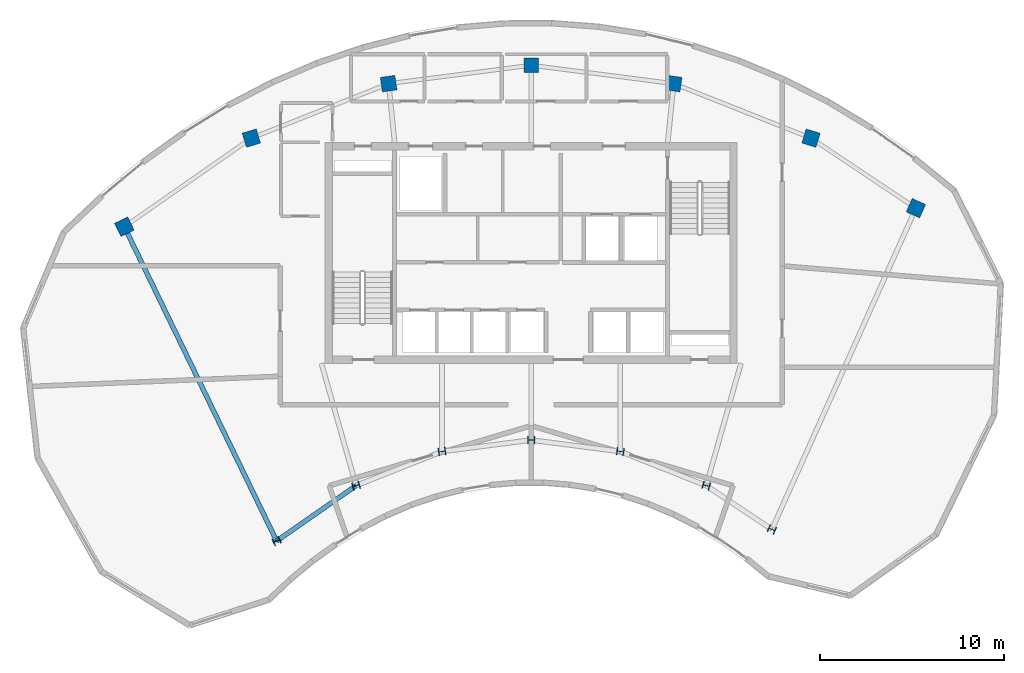
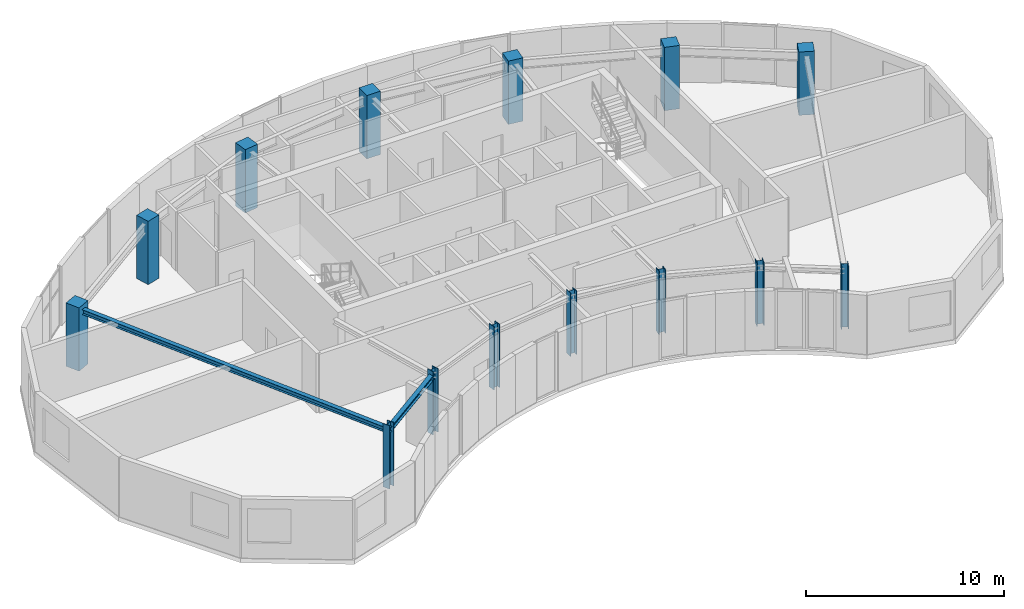
# One storey, part 1 of 9: 14 columns, 2 beams.
"""IFC4 building model written with IfcOpenShell, lengths in metres."""

from ifc_helpers import new_model, si_unit, direction, frame, origin, origin_2d, place, context, subcontext, project, spatial, rectangle, i_section, extrude, source, transform, mapped, material, material_profile, profile_set, type_object, type_shapes, element, save


model = new_model("IFC4")

# Units and contexts
model_context = context("Model", 3, precision=1e-05, world=origin(), true_north=direction((0.0, 1.0)))
body_context = subcontext(model_context, "Body", "Model", "MODEL_VIEW")
ifc_project = project(units=[si_unit("LENGTHUNIT", "METRE"), si_unit("AREAUNIT", "SQUARE_METRE"), si_unit("VOLUMEUNIT", "CUBIC_METRE"), si_unit("PLANEANGLEUNIT", "RADIAN"), si_unit("MASSUNIT", "GRAM", prefix="KILO")], contexts=[model_context])

# Site, building, storey
site_placement = place(None, origin())
site = spatial("IfcSite", under=ifc_project, at=site_placement, CompositionType="ELEMENT")
building_placement = place(site_placement, origin())
building = spatial("IfcBuilding", under=site, at=building_placement, Name="Breltana Convention Tower", CompositionType="ELEMENT")
storey_placement = place(building_placement, frame((0.0, 0.0, 299.10009765625)))
storey = spatial("IfcBuildingStorey", under=building, at=storey_placement, Name="L73", CompositionType="ELEMENT", Elevation=299.10009765625)

# Columns
ifc_material_1 = material(Name="Steel ASTM A992 Grade 50", Category="steel")
ifc_material_profile_1 = material_profile(ifc_material_1, i_section(OverallWidth=0.39892578125, OverallDepth=0.386962890625, WebThickness=0.02099609375, FlangeThickness=0.033203125, at=origin_2d()), Name="W14X176")
ifc_profile_set_1 = profile_set([ifc_material_profile_1], Name="Steel ASTM A992 Grade 50")
column_type_1 = type_object("IfcColumnType", Name="COL-STL-W14X176", PredefinedType="COLUMN", material=ifc_profile_set_1)
shared_shape_1 = source(origin(), body_context, "Body", "SweptSolid", [
    extrude(i_section(OverallWidth=0.39892578125, OverallDepth=0.386962890625, WebThickness=0.02099609375, FlangeThickness=0.033203125, at=origin_2d()), origin(), (0.0, 0.0, 1.0), 3.89990234375),
])
type_shapes(column_type_1, [shared_shape_1])
for number, where, z_axis, x_axis, name in (
    (1, (34.166259765625, 50.544921875, 0.0), (0.0, 0.0, 1.0), (-0.436173672171, 0.899862504889, 0.0), "L73 Tower Column R03-IN"),
    (2, (38.485107421875, 53.5576171875, 0.0), (0.0, 0.0, 1.0), (-0.288697611798, 0.957420330337, 0.0), "L73 Tower Column R04-IN"),
    (3, (43.153564453125, 55.41064453125, 0.0), (0.0, 0.0, 1.0), (-0.143492621991, 0.98965138682, 0.0), "L73 Tower Column R05-IN"),
    (4, (48.0, 56.035888671875, 0.0), (0.0, 0.0, 1.0), (0.0, 1.0, 0.0), "L73 Tower Column R06-IN"),
    (5, (52.846435546875, 55.41064453125, 0.0), (0.0, 0.0, 1.0), (0.143492621991, 0.98965138682, 0.0), "L73 Tower Column R07-IN"),
    (6, (57.514892578125, 53.5576171875, 0.0), (0.0, 0.0, 1.0), (0.288697611798, 0.957420330337, 0.0), "L73 Tower Column R08-IN"),
    (7, (61.08203125, 51.174560546875, 0.0), (0.0, 0.0, 1.0), (0.409126902895, 0.912477494148, 0.0), "L73 Tower Column R09-IN"),
):
    element("IfcColumn", number, at=place(storey_placement, frame(where, z_axis=z_axis, x_axis=x_axis)), inside=storey, type_object=column_type_1, Name=name, PredefinedType="COLUMN", context=body_context, shape_type="MappedRepresentation", body=[
        mapped(shared_shape_1, transform((0.0, 0.0, 0.0), scale=1.0)),
    ])
ifc_material_2 = material(Name="Concrete C50/60", Category="concrete")
ifc_material_profile_2 = material_profile(ifc_material_2, rectangle(XDim=0.800048828125, YDim=0.800048828125, at=origin_2d()), Name="RC-COL-800X800")
ifc_profile_set_2 = profile_set([ifc_material_profile_2], Name="Concrete C50/60")
column_type_2 = type_object("IfcColumnType", Name="COL-RC-800", PredefinedType="COLUMN", material=ifc_profile_set_2)
shared_shape_2 = source(origin(), body_context, "Body", "SweptSolid", [
    extrude(rectangle(XDim=0.800048828125, YDim=0.800048828125, at=origin_2d()), origin(), (0.0, 0.0, 1.0), 3.89990234375),
])
for number, where, z_axis, x_axis, name in (
    (8, (25.8876953125, 67.626953125, 0.0), (0.0, 0.0, 1.0), (-0.436173672171, 0.899862504889, 0.0), "L73 Tower Column R03-OUT"),
    (9, (32.791015625, 72.4423828125, 0.0), (0.0, 0.0, 1.0), (-0.288697611798, 0.957420330337, 0.0), "L73 Tower Column R04-OUT"),
    (10, (40.253173828125, 75.404296875, 0.0), (0.0, 0.0, 1.0), (-0.143492621991, 0.98965138682, 0.0), "L73 Tower Column R05-OUT"),
    (11, (48.0, 76.404052734375, 0.0), (0.0, 0.0, 1.0), (0.0, 1.0, 0.0), "L73 Tower Column R06-OUT"),
    (12, (55.746826171875, 75.404296875, 0.0), (0.0, 0.0, 1.0), (0.143492621991, 0.98965138682, 0.0), "L73 Tower Column R07-OUT"),
    (13, (63.208984375, 72.4423828125, 0.0), (0.0, 0.0, 1.0), (0.288697611798, 0.957420330337, 0.0), "L73 Tower Column R08-OUT"),
    (14, (68.910400390625, 68.63330078125, 0.0), (0.0, 0.0, 1.0), (0.409126902895, 0.912477494148, 0.0), "L73 Tower Column R09-OUT"),
):
    element("IfcColumn", number, at=place(storey_placement, frame(where, z_axis=z_axis, x_axis=x_axis)), inside=storey, type_object=column_type_2, Name=name, PredefinedType="COLUMN", context=body_context, shape_type="MappedRepresentation", body=[
        mapped(shared_shape_2, transform((0.0, 0.0, 0.0), scale=1.0)),
    ])

# Beams
ifc_material_profile_3 = material_profile(ifc_material_1, i_section(OverallWidth=0.25390625, OverallDepth=0.305908203125, WebThickness=0.0087890625, FlangeThickness=0.0146484375, at=origin_2d()), Name="W12X53")
ifc_profile_set_3 = profile_set([ifc_material_profile_3], Name="Steel ASTM A992 Grade 50")
beam_type = type_object("IfcBeamType", Name="BM-CN-W12X53", PredefinedType="BEAM", material=ifc_profile_set_3)
shared_shape_3 = source(origin(), body_context, "Body", "SweptSolid", [
    extrude(i_section(OverallWidth=0.25390625, OverallDepth=0.305908203125, WebThickness=0.0087890625, FlangeThickness=0.0146484375, at=origin_2d()), origin(), (0.0, 0.0, 1.0), 18.982421875),
])
beam_1_placement = place(storey_placement, frame((34.166259765625, 50.544921875, 3.48681640625), z_axis=(-0.436118560343, 0.89988921614, 0.0), x_axis=(-0.89988921614, -0.436118560343, 0.0)))
element("IfcBeam", 15, at=beam_1_placement, inside=storey, type_object=beam_type, Name="L73 Radial Floor Girder R03", PredefinedType="BEAM", context=body_context, shape_type="MappedRepresentation", body=[
    mapped(shared_shape_3, transform((0.0, 0.0, 0.0), scale=1.0)),
])
shared_shape_4 = source(origin(), body_context, "Body", "SweptSolid", [
    extrude(i_section(OverallWidth=0.25390625, OverallDepth=0.305908203125, WebThickness=0.0087890625, FlangeThickness=0.0146484375, at=origin_2d()), origin(), (0.0, 0.0, 1.0), 5.265869140625),
])
beam_2_placement = place(storey_placement, frame((34.166259765625, 50.544921875, 3.48681640625), z_axis=(0.820167429517, 0.572123577176, 0.0), x_axis=(-0.572123577176, 0.820167429517, 0.0)))
element("IfcBeam", 16, at=beam_2_placement, inside=storey, type_object=beam_type, Name="L73 Inner Ring Beam 03", PredefinedType="BEAM", context=body_context, shape_type="MappedRepresentation", body=[
    mapped(shared_shape_4, transform((0.0, 0.0, 0.0), scale=1.0)),
])

save(model, "model.ifc")
